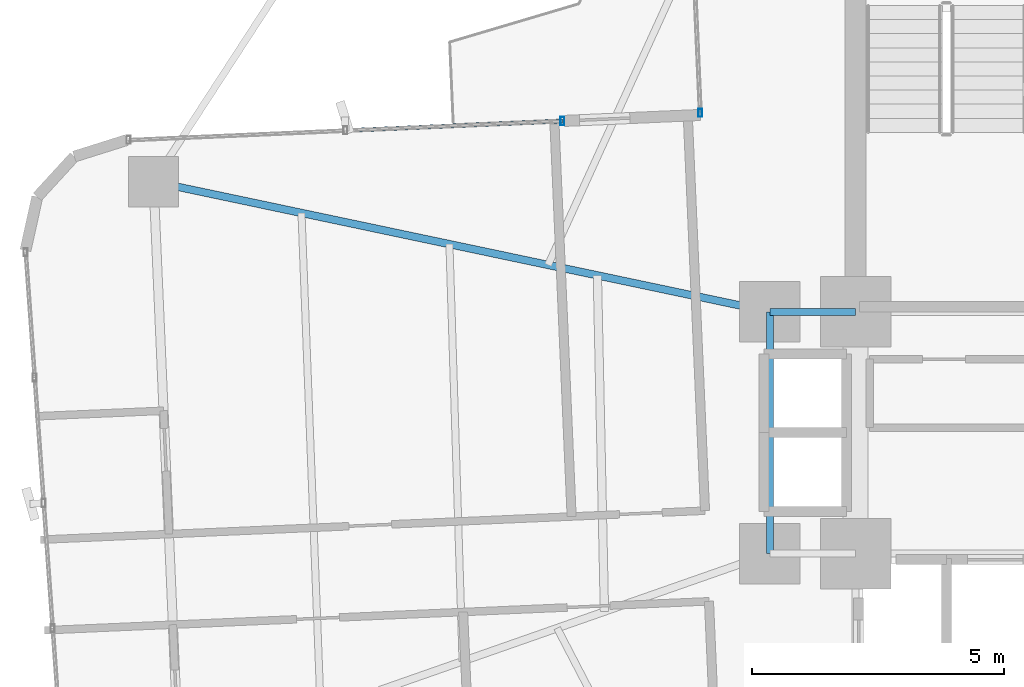
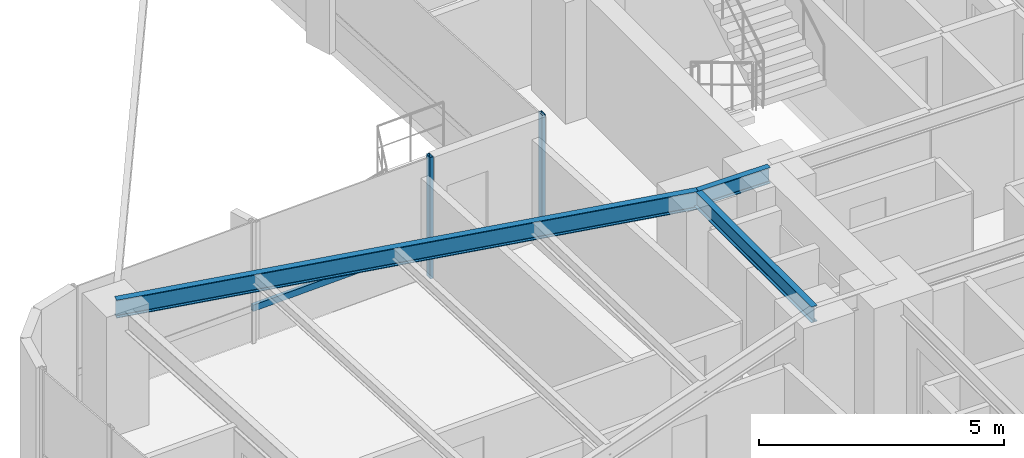
# One storey, part 10 of 26: 3 beams, 3 members, 2 elements without a shape of their own.
"""IFC4 building model written with IfcOpenShell, lengths in metres."""

from ifc_helpers import new_model, si_unit, direction, frame, origin, origin_2d, place, context, subcontext, project, spatial, hollow_rectangle, i_section, extrude, source, transform, mapped, material, material_profile, profile_set, type_object, element, aggregate, save


model = new_model("IFC4")

# Units and contexts
model_context = context("Model", 3, precision=1e-05, world=origin(), true_north=direction((0.0, 1.0)))
body_context = subcontext(model_context, "Body", "Model", "MODEL_VIEW")
ifc_project = project(units=[si_unit("LENGTHUNIT", "METRE"), si_unit("AREAUNIT", "SQUARE_METRE"), si_unit("VOLUMEUNIT", "CUBIC_METRE"), si_unit("PLANEANGLEUNIT", "RADIAN"), si_unit("MASSUNIT", "GRAM", prefix="KILO")], contexts=[model_context])

# Site, building, storey
site_placement = place(None, origin())
site = spatial("IfcSite", under=ifc_project, at=site_placement, CompositionType="ELEMENT")
building_placement = place(site_placement, origin())
building = spatial("IfcBuilding", under=site, at=building_placement, Name="Sahyath Konkavel Grand Hotel", CompositionType="ELEMENT")
storey_placement = place(building_placement, frame((0.0, 0.0, 134.89990234375)))
storey = spatial("IfcBuildingStorey", under=building, at=storey_placement, Name="L37", CompositionType="ELEMENT", Elevation=134.89990234375)

# Beams
ifc_material_1 = material(Name="Steel E350", Category="steel")
ifc_material_profile_1 = material_profile(ifc_material_1, i_section(OverallWidth=0.139892578125, OverallDepth=0.39990234375, WebThickness=0.0087890625, FlangeThickness=0.01611328125, FilletRadius=0.013916015625, at=origin_2d()), Name="ISMB 400")
ifc_profile_set_1 = profile_set([ifc_material_profile_1], Name="Steel E350")
beam_type_1 = type_object("IfcBeamType", Name="BM-ISMB400", PredefinedType="BEAM", material=ifc_profile_set_1)
shared_shape_1 = source(origin(), body_context, "Body", "SweptSolid", [
    extrude(i_section(OverallWidth=0.139892578125, OverallDepth=0.39990234375, WebThickness=0.0087890625, FlangeThickness=0.01611328125, FilletRadius=0.013916015625, at=origin_2d()), origin(), (0.0, 0.0, 1.0), 1.699951171875),
])
beam_1_placement = place(storey_placement, frame((-5.5, 2.39990234375, 2.830078125), z_axis=(1.0, 0.0, 0.0), x_axis=(0.0, 1.0, 0.0)))
element("IfcBeam", 1, at=beam_1_placement, inside=storey, type_object=beam_type_1, Name="str:bm:L37:HB-NW", PredefinedType="BEAM", context=body_context, shape_type="MappedRepresentation", body=[
    mapped(shared_shape_1, transform((0.0, 0.0, 0.0), scale=1.0)),
])
shared_shape_2 = source(origin(), body_context, "Body", "SweptSolid", [
    extrude(i_section(OverallWidth=0.139892578125, OverallDepth=0.39990234375, WebThickness=0.0087890625, FlangeThickness=0.01611328125, FilletRadius=0.013916015625, at=origin_2d()), origin(), (0.0, 0.0, 1.0), 4.7998046875),
])
beam_2_placement = place(storey_placement, frame((-5.5, -2.39990234375, 2.830078125), z_axis=(0.0, 1.0, 0.0), x_axis=(-1.0, 0.0, 0.0)))
element("IfcBeam", 2, at=beam_2_placement, inside=storey, type_object=beam_type_1, Name="str:bm:L37:HB-W", PredefinedType="BEAM", context=body_context, shape_type="MappedRepresentation", body=[
    mapped(shared_shape_2, transform((0.0, 0.0, 0.0), scale=1.0)),
])
ifc_material_profile_2 = material_profile(ifc_material_1, i_section(OverallWidth=0.14990234375, OverallDepth=0.449951171875, WebThickness=0.009521484375, FlangeThickness=0.017333984375, FilletRadius=0.014892578125, at=origin_2d()), Name="ISMB 450")
ifc_profile_set_2 = profile_set([ifc_material_profile_2], Name="Steel E350")
beam_type_2 = type_object("IfcBeamType", Name="BM-ISMB450", PredefinedType="BEAM", material=ifc_profile_set_2)
shared_shape_3 = source(origin(), body_context, "Body", "SweptSolid", [
    extrude(i_section(OverallWidth=0.14990234375, OverallDepth=0.449951171875, WebThickness=0.009521484375, FlangeThickness=0.017333984375, FilletRadius=0.014892578125, at=origin_2d()), origin(), (0.0, 0.0, 1.0), 12.50341796875),
])
beam_3_placement = place(storey_placement, frame((-5.5, 2.39990234375, 2.80517578125), z_axis=(-0.978457911392, 0.206446398937, 0.0), x_axis=(-0.206446398937, -0.978457911392, 0.0)))
element("IfcBeam", 3, at=beam_3_placement, inside=storey, type_object=beam_type_2, Name="L37 Cruciform Radial Girder WA", PredefinedType="BEAM", context=body_context, shape_type="MappedRepresentation", body=[
    mapped(shared_shape_3, transform((0.0, 0.0, 0.0), scale=1.0)),
])

# Curtain wall, member
ifc_material_2 = material(Name="Anodised Bronze Aluminium & Low-E Glazing", Category="aluminium")
curtain_wall_type = type_object("IfcCurtainWallType", Name="CW-ZONE2", PredefinedType="NOTDEFINED", material=ifc_material_2)
curtain_wall_1_placement = place(storey_placement, origin())
curtain_wall_1 = element("IfcCurtainWall", 4, at=curtain_wall_1_placement, inside=storey, type_object=curtain_wall_type, Name="L37 Unitised Curtain Wall F15", PredefinedType="NOTDEFINED")
ifc_material_3 = material(Name="Anodised Bronze Aluminium", Category="aluminium")
ifc_material_profile_3 = material_profile(ifc_material_3, hollow_rectangle(XDim=0.080078125, YDim=0.159912109375, WallThickness=0.006103515625, at=origin_2d()), Name="RHS 160x80x6")
ifc_profile_set_3 = profile_set([ifc_material_profile_3], Name="Anodised Bronze Aluminium")
member_type_1 = type_object("IfcMemberType", Name="CW-MUL-160", PredefinedType="MULLION", material=ifc_profile_set_3)
shared_shape_4 = source(origin(), body_context, "Body", "SweptSolid", [
    extrude(hollow_rectangle(XDim=0.080078125, YDim=0.159912109375, WallThickness=0.006103515625, at=origin_2d()), origin(), (0.0, 0.0, 1.0), 3.030029296875),
])
member_1_placement = place(storey_placement, frame((-6.88330078125, 6.345703125, 0.0), z_axis=(0.0, 0.0, 1.0), x_axis=(1.0, 0.0, 0.0)))
member_1 = element("IfcMember", 5, at=member_1_placement, type_object=member_type_1, Name="L37 Curtain Wall Mullion F15-2", PredefinedType="MULLION", context=body_context, shape_type="MappedRepresentation", body=[
    mapped(shared_shape_4, transform((0.0, 0.0, 0.0), scale=1.0)),
])
aggregate(curtain_wall_1, [member_1])

# Curtain wall, members
curtain_wall_2_placement = place(storey_placement, origin())
curtain_wall_2 = element("IfcCurtainWall", 6, at=curtain_wall_2_placement, inside=storey, type_object=curtain_wall_type, Name="L37 Unitised Curtain Wall F16", PredefinedType="NOTDEFINED")
member_2_placement = place(storey_placement, frame((-9.618896484375, 6.186279296875, 0.0), z_axis=(0.0, 0.0, 1.0), x_axis=(1.0, 0.0, 0.0)))
member_2 = element("IfcMember", 7, at=member_2_placement, type_object=member_type_1, Name="L37 Curtain Wall Mullion F16-0", PredefinedType="MULLION", context=body_context, shape_type="MappedRepresentation", body=[
    mapped(shared_shape_4, transform((0.0, 0.0, 0.0), scale=1.0)),
])
ifc_material_profile_4 = material_profile(ifc_material_3, hollow_rectangle(XDim=0.080078125, YDim=0.159912109375, WallThickness=0.006103515625, at=origin_2d()), Name="RHS 160x80x6")
ifc_profile_set_4 = profile_set([ifc_material_profile_4], Name="Anodised Bronze Aluminium")
member_type_2 = type_object("IfcMemberType", Name="CW-TRN-160", PredefinedType="USERDEFINED", material=ifc_profile_set_4)
shared_shape_5 = source(origin(), body_context, "Body", "SweptSolid", [
    extrude(hollow_rectangle(XDim=0.080078125, YDim=0.159912109375, WallThickness=0.006103515625, at=origin_2d()), origin(), (0.0, 0.0, 1.0), 4.31005859375),
])
member_3_placement = place(storey_placement, frame((-9.618896484375, 6.186279296875, 0.85009765625), z_axis=(-0.999048340188, -0.043616670746, 0.0), x_axis=(0.043616670746, -0.999048340188, 0.0)))
member_3 = element("IfcMember", 8, at=member_3_placement, type_object=member_type_2, Name="L37 Curtain Wall Transom F16-0-spandrel", ObjectType="TRANSOM", PredefinedType="USERDEFINED", context=body_context, shape_type="MappedRepresentation", body=[
    mapped(shared_shape_5, transform((0.0, 0.0, 0.0), scale=1.0)),
])
aggregate(curtain_wall_2, [member_2, member_3])

save(model, "model.ifc")
